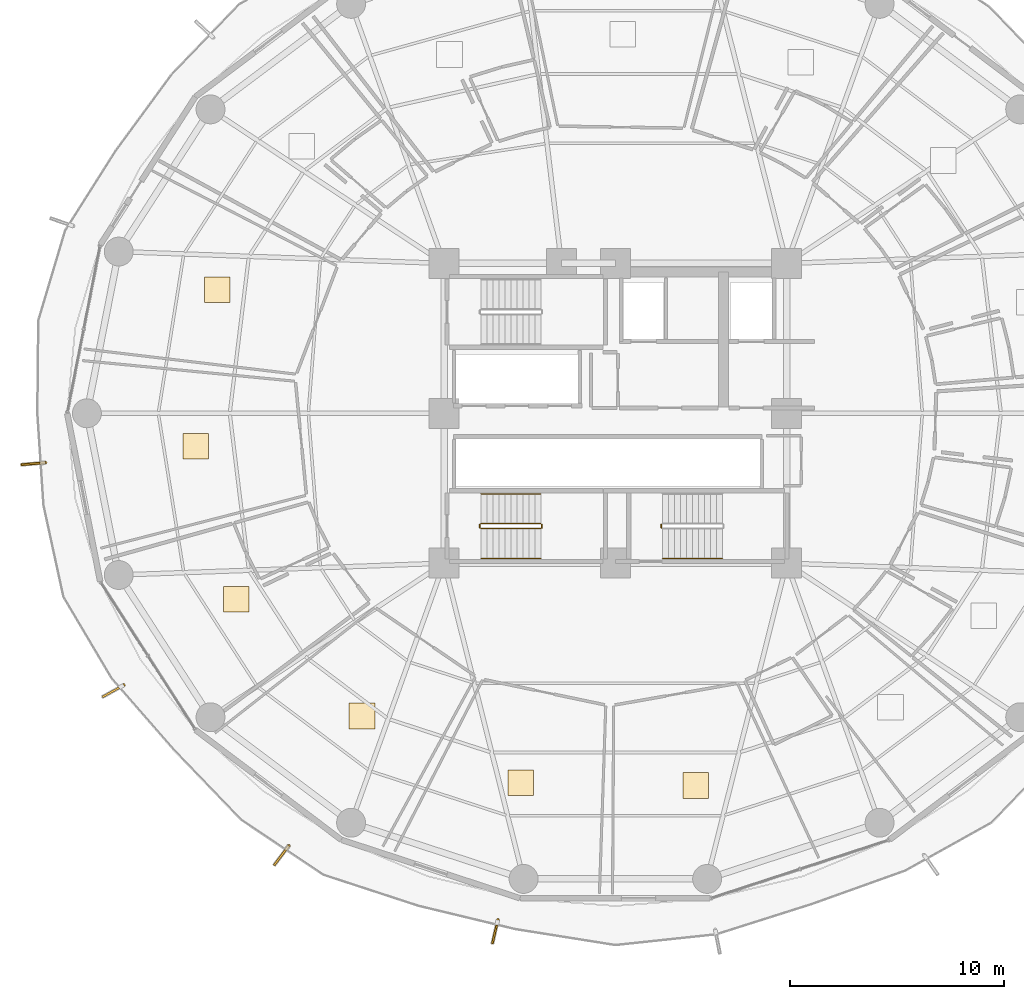
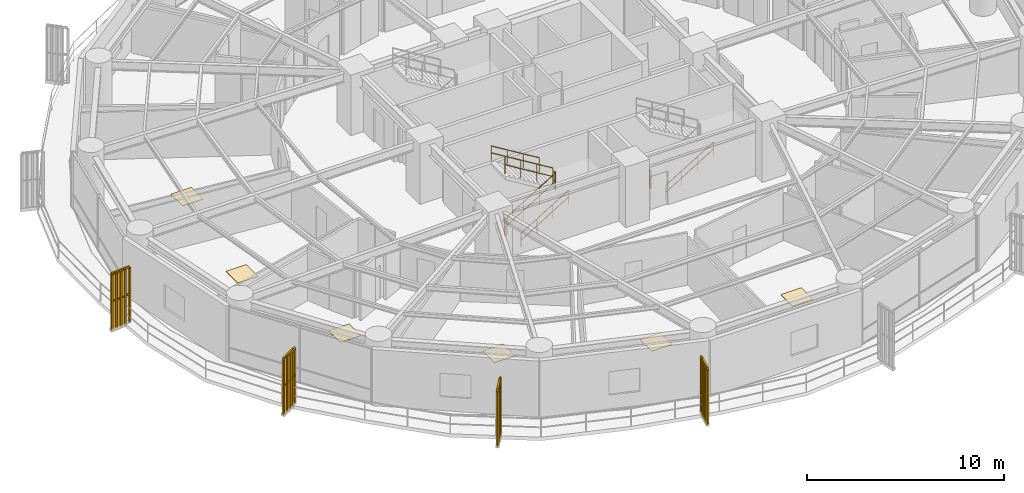
# One storey, part 33 of 36: 12 railings, 6 coverings, 4 shading devices.
"""IFC4 building model written with IfcOpenShell, lengths in metres."""

from ifc_helpers import new_model, si_unit, direction, frame, origin, origin_2d, place, context, subcontext, project, spatial, polyline, rectangle, outline, extrude, source, transform, mapped, material, layer, layer_set, type_object, element, save


model = new_model("IFC4")

# Units and contexts
model_context = context("Model", 3, precision=1e-05, world=origin(), true_north=direction((0.0, 1.0)))
body_context = subcontext(model_context, "Body", "Model", "MODEL_VIEW")
ifc_project = project(units=[si_unit("LENGTHUNIT", "METRE"), si_unit("AREAUNIT", "SQUARE_METRE"), si_unit("VOLUMEUNIT", "CUBIC_METRE"), si_unit("PLANEANGLEUNIT", "RADIAN"), si_unit("MASSUNIT", "GRAM", prefix="KILO")], contexts=[model_context])

# Site, building, storey
site_placement = place(None, origin())
site = spatial("IfcSite", under=ifc_project, at=site_placement, CompositionType="ELEMENT")
building_placement = place(site_placement, origin())
building = spatial("IfcBuilding", under=site, at=building_placement, Name="Kelanora Arch Commons", CompositionType="ELEMENT")
storey_placement = place(building_placement, frame((0.0, 0.0, 98.85009765625)))
storey = spatial("IfcBuildingStorey", under=building, at=storey_placement, Name="L25", CompositionType="ELEMENT", Elevation=98.85009765625)

# Railings
ifc_material_1 = material(Name="Anodised bronze vertical shading fin rib assembly")
railing_type_1 = type_object("IfcRailingType", Name="RAIL-FIN-BRZ", PredefinedType="BALUSTRADE", material=ifc_material_1)
railing_1_placement = place(storey_placement, frame((47.379638671875, 55.69580078125, -0.02001953125)))
element("IfcRailing", 1, at=railing_1_placement, inside=storey, type_object=railing_type_1, Name="Sweeping Bronze Vertical Fin Blade L25-06", PredefinedType="BALUSTRADE", context=body_context, shape_type="SweptSolid", body=[
    extrude(outline(polyline([(0.06982421875, 0.0), (0.034912109375, 0.060546875), (-0.034912109375, 0.060546875), (-0.06982421875, 0.0), (-0.034912109375, -0.060546875), (0.034912109375, -0.060546875), (0.06982421875, 0.0)])), frame((0.0, 0.0, 3.419921875), z_axis=(-0.996274444247, -0.086239386252, 0.0), x_axis=(0.086239386252, -0.996274444247, 0.0)), (0.0, 0.0, 1.0), 1.10693359375),
    extrude(outline(polyline([(0.06982421875, 0.0), (0.034912109375, 0.060546875), (-0.034912109375, 0.060546875), (-0.06982421875, 0.0), (-0.034912109375, -0.060546875), (0.034912109375, -0.060546875), (0.06982421875, 0.0)])), frame((0.0, 0.0, 1.7451171875), z_axis=(-0.996274444247, -0.086239386252, 0.0), x_axis=(0.086239386252, -0.996274444247, 0.0)), (0.0, 0.0, 1.0), 1.10693359375),
    extrude(outline(polyline([(0.080078125, 0.0), (0.0400390625, 0.0693359375), (-0.0400390625, 0.0693359375), (-0.080078125, 0.0), (-0.0400390625, -0.0693359375), (0.0400390625, -0.0693359375), (0.080078125, 0.0)])), origin(), (0.0, 0.0, 1.0), 3.35009765625),
    extrude(outline(polyline([(0.080078125, 0.0), (0.0400390625, 0.0693359375), (-0.0400390625, 0.0693359375), (-0.080078125, 0.0), (-0.0400390625, -0.0693359375), (0.0400390625, -0.0693359375), (0.080078125, 0.0)])), frame((-0.275634765625, -0.02392578125, 0.0)), (0.0, 0.0, 1.0), 3.35009765625),
    extrude(outline(polyline([(0.080078125, 0.0), (0.0400390625, 0.0693359375), (-0.0400390625, 0.0693359375), (-0.080078125, 0.0), (-0.0400390625, -0.0693359375), (0.0400390625, -0.0693359375), (0.080078125, 0.0)])), frame((-0.55126953125, -0.0478515625, 0.0)), (0.0, 0.0, 1.0), 3.35009765625),
    extrude(outline(polyline([(0.080078125, 0.0), (0.0400390625, 0.0693359375), (-0.0400390625, 0.0693359375), (-0.080078125, 0.0), (-0.0400390625, -0.0693359375), (0.0400390625, -0.0693359375), (0.080078125, 0.0)])), frame((-0.8271484375, -0.071533203125, 0.0)), (0.0, 0.0, 1.0), 3.35009765625),
    extrude(outline(polyline([(0.080078125, 0.0), (0.0400390625, 0.0693359375), (-0.0400390625, 0.0693359375), (-0.080078125, 0.0), (-0.0400390625, -0.0693359375), (0.0400390625, -0.0693359375), (0.080078125, 0.0)])), frame((-1.102783203125, -0.095458984375, 0.0)), (0.0, 0.0, 1.0), 3.35009765625),
])
railing_2_placement = place(storey_placement, frame((51.04296875, 45.302490234375, -0.02001953125)))
element("IfcRailing", 2, at=railing_2_placement, inside=storey, type_object=railing_type_1, Name="Sweeping Bronze Vertical Fin Blade L25-07", PredefinedType="BALUSTRADE", context=body_context, shape_type="SweptSolid", body=[
    extrude(outline(polyline([(0.06982421875, 0.0), (0.034912109375, 0.060546875), (-0.034912109375, 0.060546875), (-0.06982421875, 0.0), (-0.034912109375, -0.060546875), (0.034912109375, -0.060546875), (0.06982421875, 0.0)])), frame((0.0, 0.0, 3.419921875), z_axis=(-0.875040004531, -0.484050607345, 0.0), x_axis=(0.484050607345, -0.875040004531, 0.0)), (0.0, 0.0, 1.0), 1.107177734375),
    extrude(outline(polyline([(0.06982421875, 0.0), (0.034912109375, 0.060546875), (-0.034912109375, 0.060546875), (-0.06982421875, 0.0), (-0.034912109375, -0.060546875), (0.034912109375, -0.060546875), (0.06982421875, 0.0)])), frame((0.0, 0.0, 1.7451171875), z_axis=(-0.875040004531, -0.484050607345, 0.0), x_axis=(0.484050607345, -0.875040004531, 0.0)), (0.0, 0.0, 1.0), 1.107177734375),
    extrude(outline(polyline([(0.080078125, 0.0), (0.0400390625, 0.0693359375), (-0.0400390625, 0.0693359375), (-0.080078125, 0.0), (-0.0400390625, -0.0693359375), (0.0400390625, -0.0693359375), (0.080078125, 0.0)])), origin(), (0.0, 0.0, 1.0), 3.35009765625),
    extrude(outline(polyline([(0.080078125, 0.0), (0.0400390625, 0.0693359375), (-0.0400390625, 0.0693359375), (-0.080078125, 0.0), (-0.0400390625, -0.0693359375), (0.0400390625, -0.0693359375), (0.080078125, 0.0)])), frame((-0.2421875, -0.134033203125, 0.0)), (0.0, 0.0, 1.0), 3.35009765625),
    extrude(outline(polyline([(0.080078125, 0.0), (0.0400390625, 0.0693359375), (-0.0400390625, 0.0693359375), (-0.080078125, 0.0), (-0.0400390625, -0.0693359375), (0.0400390625, -0.0693359375), (0.080078125, 0.0)])), frame((-0.484375, -0.26806640625, 0.0)), (0.0, 0.0, 1.0), 3.35009765625),
    extrude(outline(polyline([(0.080078125, 0.0), (0.0400390625, 0.0693359375), (-0.0400390625, 0.0693359375), (-0.080078125, 0.0), (-0.0400390625, -0.0693359375), (0.0400390625, -0.0693359375), (0.080078125, 0.0)])), frame((-0.7265625, -0.40185546875, 0.0)), (0.0, 0.0, 1.0), 3.35009765625),
    extrude(outline(polyline([(0.080078125, 0.0), (0.0400390625, 0.0693359375), (-0.0400390625, 0.0693359375), (-0.080078125, 0.0), (-0.0400390625, -0.0693359375), (0.0400390625, -0.0693359375), (0.080078125, 0.0)])), frame((-0.96875, -0.535888671875, 0.0)), (0.0, 0.0, 1.0), 3.35009765625),
])
railing_3_placement = place(storey_placement, frame((58.7490234375, 37.80029296875, -0.02001953125)))
element("IfcRailing", 3, at=railing_3_placement, inside=storey, type_object=railing_type_1, Name="Sweeping Bronze Vertical Fin Blade L25-08", PredefinedType="BALUSTRADE", context=body_context, shape_type="SweptSolid", body=[
    extrude(outline(polyline([(0.06982421875, 0.0), (0.034912109375, 0.060546875), (-0.034912109375, 0.060546875), (-0.06982421875, 0.0), (-0.034912109375, -0.060546875), (0.034912109375, -0.060546875), (0.06982421875, 0.0)])), frame((0.0, 0.0, 3.419921875), z_axis=(-0.602608400076, -0.798037039339, 0.0), x_axis=(0.798037039339, -0.602608400076, 0.0)), (0.0, 0.0, 1.0), 1.10693359375),
    extrude(outline(polyline([(0.06982421875, 0.0), (0.034912109375, 0.060546875), (-0.034912109375, 0.060546875), (-0.06982421875, 0.0), (-0.034912109375, -0.060546875), (0.034912109375, -0.060546875), (0.06982421875, 0.0)])), frame((0.0, 0.0, 1.7451171875), z_axis=(-0.602608400076, -0.798037039339, 0.0), x_axis=(0.798037039339, -0.602608400076, 0.0)), (0.0, 0.0, 1.0), 1.10693359375),
    extrude(outline(polyline([(0.080078125, 0.0), (0.0400390625, 0.0693359375), (-0.0400390625, 0.0693359375), (-0.080078125, 0.0), (-0.0400390625, -0.0693359375), (0.0400390625, -0.0693359375), (0.080078125, 0.0)])), origin(), (0.0, 0.0, 1.0), 3.35009765625),
    extrude(outline(polyline([(0.080078125, 0.0), (0.0400390625, 0.0693359375), (-0.0400390625, 0.0693359375), (-0.080078125, 0.0), (-0.0400390625, -0.0693359375), (0.0400390625, -0.0693359375), (0.080078125, 0.0)])), frame((-0.166748046875, -0.220703125, 0.0)), (0.0, 0.0, 1.0), 3.35009765625),
    extrude(outline(polyline([(0.080078125, 0.0), (0.0400390625, 0.0693359375), (-0.0400390625, 0.0693359375), (-0.080078125, 0.0), (-0.0400390625, -0.0693359375), (0.0400390625, -0.0693359375), (0.080078125, 0.0)])), frame((-0.33349609375, -0.441650390625, 0.0)), (0.0, 0.0, 1.0), 3.35009765625),
    extrude(outline(polyline([(0.080078125, 0.0), (0.0400390625, 0.0693359375), (-0.0400390625, 0.0693359375), (-0.080078125, 0.0), (-0.0400390625, -0.0693359375), (0.0400390625, -0.0693359375), (0.080078125, 0.0)])), frame((-0.500244140625, -0.66259765625, 0.0)), (0.0, 0.0, 1.0), 3.35009765625),
    extrude(outline(polyline([(0.080078125, 0.0), (0.0400390625, 0.0693359375), (-0.0400390625, 0.0693359375), (-0.080078125, 0.0), (-0.0400390625, -0.0693359375), (0.0400390625, -0.0693359375), (0.080078125, 0.0)])), frame((-0.6669921875, -0.88330078125, 0.0)), (0.0, 0.0, 1.0), 3.35009765625),
])
railing_4_placement = place(storey_placement, frame((68.514404296875, 34.338623046875, -0.02001953125)))
element("IfcRailing", 4, at=railing_4_placement, inside=storey, type_object=railing_type_1, Name="Sweeping Bronze Vertical Fin Blade L25-09", PredefinedType="BALUSTRADE", context=body_context, shape_type="SweptSolid", body=[
    extrude(outline(polyline([(0.06982421875, 0.0), (0.034912109375, 0.060546875), (-0.034912109375, 0.060546875), (-0.06982421875, 0.0), (-0.034912109375, -0.060546875), (0.034912109375, -0.060546875), (0.06982421875, 0.0)])), frame((0.0, 0.0, 3.419921875), z_axis=(-0.225890482018, -0.974152703704, 0.0), x_axis=(0.974152703704, -0.225890482018, 0.0)), (0.0, 0.0, 1.0), 1.106689453125),
    extrude(outline(polyline([(0.06982421875, 0.0), (0.034912109375, 0.060546875), (-0.034912109375, 0.060546875), (-0.06982421875, 0.0), (-0.034912109375, -0.060546875), (0.034912109375, -0.060546875), (0.06982421875, 0.0)])), frame((0.0, 0.0, 1.7451171875), z_axis=(-0.225890482018, -0.974152703704, 0.0), x_axis=(0.974152703704, -0.225890482018, 0.0)), (0.0, 0.0, 1.0), 1.106689453125),
    extrude(outline(polyline([(0.080078125, 0.0), (0.0400390625, 0.0693359375), (-0.0400390625, 0.0693359375), (-0.080078125, 0.0), (-0.0400390625, -0.0693359375), (0.0400390625, -0.0693359375), (0.080078125, 0.0)])), origin(), (0.0, 0.0, 1.0), 3.35009765625),
    extrude(outline(polyline([(0.080078125, 0.0), (0.0400390625, 0.0693359375), (-0.0400390625, 0.0693359375), (-0.080078125, 0.0), (-0.0400390625, -0.0693359375), (0.0400390625, -0.0693359375), (0.080078125, 0.0)])), frame((-0.0625, -0.26953125, 0.0)), (0.0, 0.0, 1.0), 3.35009765625),
    extrude(outline(polyline([(0.080078125, 0.0), (0.0400390625, 0.0693359375), (-0.0400390625, 0.0693359375), (-0.080078125, 0.0), (-0.0400390625, -0.0693359375), (0.0400390625, -0.0693359375), (0.080078125, 0.0)])), frame((-0.125, -0.5390625, 0.0)), (0.0, 0.0, 1.0), 3.35009765625),
    extrude(outline(polyline([(0.080078125, 0.0), (0.0400390625, 0.0693359375), (-0.0400390625, 0.0693359375), (-0.080078125, 0.0), (-0.0400390625, -0.0693359375), (0.0400390625, -0.0693359375), (0.080078125, 0.0)])), frame((-0.1875, -0.80859375, 0.0)), (0.0, 0.0, 1.0), 3.35009765625),
    extrude(outline(polyline([(0.080078125, 0.0), (0.0400390625, 0.0693359375), (-0.0400390625, 0.0693359375), (-0.080078125, 0.0), (-0.0400390625, -0.0693359375), (0.0400390625, -0.0693359375), (0.080078125, 0.0)])), frame((-0.25, -1.078125, 0.0)), (0.0, 0.0, 1.0), 3.35009765625),
])
ifc_material_2 = material(Name="Painted steel stair well guard", Category="steel")
railing_type_2 = type_object("IfcRailingType", Name="RAIL-STAIR-GRD", PredefinedType="GUARDRAIL", material=ifc_material_2)
railing_5_placement = place(storey_placement, frame((76.14990234375, 52.659912109375, 0.0)))
element("IfcRailing", 5, at=railing_5_placement, inside=storey, type_object=railing_type_2, Name="L25 ST-T2 stair guard 4", PredefinedType="GUARDRAIL", context=body_context, shape_type="SweptSolid", body=[
    extrude(outline(polyline([(0.02392578125, 0.0), (0.011962890625, 0.020751953125), (-0.011962890625, 0.020751953125), (-0.02392578125, 0.0), (-0.011962890625, -0.020751953125), (0.011962890625, -0.020751953125), (0.02392578125, 0.0)])), frame((0.0, 0.0, 1.076171875), z_axis=(0.0, 1.0, 0.0), x_axis=(-1.0, 0.0, 0.0)), (0.0, 0.0, 1.0), 0.150146484375),
    extrude(outline(polyline([(0.02392578125, 0.0), (0.011962890625, 0.020751953125), (-0.011962890625, 0.020751953125), (-0.02392578125, 0.0), (-0.011962890625, -0.020751953125), (0.011962890625, -0.020751953125), (0.02392578125, 0.0)])), frame((0.0, 0.0, 0.550048828125), z_axis=(0.0, 1.0, 0.0), x_axis=(-1.0, 0.0, 0.0)), (0.0, 0.0, 1.0), 0.150146484375),
    extrude(outline(polyline([(0.02099609375, 0.0), (0.010498046875, 0.01806640625), (-0.010498046875, 0.01806640625), (-0.02099609375, 0.0), (-0.010498046875, -0.01806640625), (0.010498046875, -0.01806640625), (0.02099609375, 0.0)])), origin(), (0.0, 0.0, 1.0), 1.052001953125),
    extrude(outline(polyline([(0.02099609375, 0.0), (0.010498046875, 0.01806640625), (-0.010498046875, 0.01806640625), (-0.02099609375, 0.0), (-0.010498046875, -0.01806640625), (0.010498046875, -0.01806640625), (0.02099609375, 0.0)])), frame((0.0, 0.150146484375, 0.0)), (0.0, 0.0, 1.0), 1.052001953125),
])
railing_6_placement = place(storey_placement, frame((67.719970703125, 52.610107421875, 0.17041015625)))
element("IfcRailing", 6, at=railing_6_placement, inside=storey, type_object=railing_type_2, Name="L25 ST-T3 stair guard 1", PredefinedType="GUARDRAIL", context=body_context, shape_type="SweptSolid", body=[
    extrude(outline(polyline([(0.02392578125, 0.0), (0.011962890625, 0.020751953125), (-0.011962890625, 0.020751953125), (-0.02392578125, 0.0), (-0.011962890625, -0.020751953125), (0.011962890625, -0.020751953125), (0.02392578125, 0.0)])), frame((0.0, 0.0, 1.076171875), z_axis=(0.854169791009, 0.0, 0.51999420009), x_axis=(0.0, 1.0, 0.0)), (0.0, 0.0, 1.0), 3.278076171875),
    extrude(outline(polyline([(0.02392578125, 0.0), (0.011962890625, 0.020751953125), (-0.011962890625, 0.020751953125), (-0.02392578125, 0.0), (-0.011962890625, -0.020751953125), (0.011962890625, -0.020751953125), (0.02392578125, 0.0)])), frame((0.0, 0.0, 0.550048828125), z_axis=(0.854169791009, 0.0, 0.51999420009), x_axis=(0.0, 1.0, 0.0)), (0.0, 0.0, 1.0), 3.278076171875),
    extrude(outline(polyline([(0.02099609375, 0.0), (0.010498046875, 0.01806640625), (-0.010498046875, 0.01806640625), (-0.02099609375, 0.0), (-0.010498046875, -0.01806640625), (0.010498046875, -0.01806640625), (0.02099609375, 0.0)])), origin(), (0.0, 0.0, 1.0), 1.052001953125),
    extrude(outline(polyline([(0.02099609375, 0.0), (0.010498046875, 0.01806640625), (-0.010498046875, 0.01806640625), (-0.02099609375, 0.0), (-0.010498046875, -0.01806640625), (0.010498046875, -0.01806640625), (0.02099609375, 0.0)])), frame((0.933349609375, 0.0, 0.568115234375)), (0.0, 0.0, 1.0), 1.052001953125),
    extrude(outline(polyline([(0.02099609375, 0.0), (0.010498046875, 0.01806640625), (-0.010498046875, 0.01806640625), (-0.02099609375, 0.0), (-0.010498046875, -0.01806640625), (0.010498046875, -0.01806640625), (0.02099609375, 0.0)])), frame((1.86669921875, 0.0, 1.136474609375)), (0.0, 0.0, 1.0), 1.052001953125),
    extrude(outline(polyline([(0.02099609375, 0.0), (0.010498046875, 0.01806640625), (-0.010498046875, 0.01806640625), (-0.02099609375, 0.0), (-0.010498046875, -0.01806640625), (0.010498046875, -0.01806640625), (0.02099609375, 0.0)])), frame((2.800048828125, 0.0, 1.70458984375)), (0.0, 0.0, 1.0), 1.052001953125),
])
railing_7_placement = place(storey_placement, frame((70.570068359375, 52.659912109375, 1.875)))
element("IfcRailing", 7, at=railing_7_placement, inside=storey, type_object=railing_type_2, Name="L25 ST-T3 stair guard 2", PredefinedType="GUARDRAIL", context=body_context, shape_type="SweptSolid", body=[
    extrude(outline(polyline([(0.02392578125, 0.0), (0.011962890625, 0.020751953125), (-0.011962890625, 0.020751953125), (-0.02392578125, 0.0), (-0.011962890625, -0.020751953125), (0.011962890625, -0.020751953125), (0.02392578125, 0.0)])), frame((0.0, 0.0, 1.076171875), z_axis=(0.0, 1.0, 0.0), x_axis=(-1.0, 0.0, 0.0)), (0.0, 0.0, 1.0), 0.150146484375),
    extrude(outline(polyline([(0.02392578125, 0.0), (0.011962890625, 0.020751953125), (-0.011962890625, 0.020751953125), (-0.02392578125, 0.0), (-0.011962890625, -0.020751953125), (0.011962890625, -0.020751953125), (0.02392578125, 0.0)])), frame((0.0, 0.0, 0.550048828125), z_axis=(0.0, 1.0, 0.0), x_axis=(-1.0, 0.0, 0.0)), (0.0, 0.0, 1.0), 0.150146484375),
    extrude(outline(polyline([(0.02099609375, 0.0), (0.010498046875, 0.01806640625), (-0.010498046875, 0.01806640625), (-0.02099609375, 0.0), (-0.010498046875, -0.01806640625), (0.010498046875, -0.01806640625), (0.02099609375, 0.0)])), origin(), (0.0, 0.0, 1.0), 1.052001953125),
    extrude(outline(polyline([(0.02099609375, 0.0), (0.010498046875, 0.01806640625), (-0.010498046875, 0.01806640625), (-0.02099609375, 0.0), (-0.010498046875, -0.01806640625), (0.010498046875, -0.01806640625), (0.02099609375, 0.0)])), frame((0.0, 0.150146484375, 0.0)), (0.0, 0.0, 1.0), 1.052001953125),
])
railing_8_placement = place(storey_placement, frame((70.52001953125, 52.860107421875, 2.04541015625)))
element("IfcRailing", 8, at=railing_8_placement, inside=storey, type_object=railing_type_2, Name="L25 ST-T3 stair guard 3", PredefinedType="GUARDRAIL", context=body_context, shape_type="SweptSolid", body=[
    extrude(outline(polyline([(0.02392578125, 0.0), (0.011962890625, 0.020751953125), (-0.011962890625, 0.020751953125), (-0.02392578125, 0.0), (-0.011962890625, -0.020751953125), (0.011962890625, -0.020751953125), (0.02392578125, 0.0)])), frame((0.0, 0.0, 1.076171875), z_axis=(-0.854169791009, 0.0, 0.51999420009), x_axis=(0.0, -1.0, 0.0)), (0.0, 0.0, 1.0), 3.278076171875),
    extrude(outline(polyline([(0.02392578125, 0.0), (0.011962890625, 0.020751953125), (-0.011962890625, 0.020751953125), (-0.02392578125, 0.0), (-0.011962890625, -0.020751953125), (0.011962890625, -0.020751953125), (0.02392578125, 0.0)])), frame((0.0, 0.0, 0.550048828125), z_axis=(-0.854169791009, 0.0, 0.51999420009), x_axis=(0.0, -1.0, 0.0)), (0.0, 0.0, 1.0), 3.278076171875),
    extrude(outline(polyline([(0.02099609375, 0.0), (0.010498046875, 0.01806640625), (-0.010498046875, 0.01806640625), (-0.02099609375, 0.0), (-0.010498046875, -0.01806640625), (0.010498046875, -0.01806640625), (0.02099609375, 0.0)])), origin(), (0.0, 0.0, 1.0), 1.052001953125),
    extrude(outline(polyline([(0.02099609375, 0.0), (0.010498046875, 0.01806640625), (-0.010498046875, 0.01806640625), (-0.02099609375, 0.0), (-0.010498046875, -0.01806640625), (0.010498046875, -0.01806640625), (0.02099609375, 0.0)])), frame((-0.933349609375, 0.0, 0.568115234375)), (0.0, 0.0, 1.0), 1.052001953125),
    extrude(outline(polyline([(0.02099609375, 0.0), (0.010498046875, 0.01806640625), (-0.010498046875, 0.01806640625), (-0.02099609375, 0.0), (-0.010498046875, -0.01806640625), (0.010498046875, -0.01806640625), (0.02099609375, 0.0)])), frame((-1.86669921875, 0.0, 1.136474609375)), (0.0, 0.0, 1.0), 1.052001953125),
    extrude(outline(polyline([(0.02099609375, 0.0), (0.010498046875, 0.01806640625), (-0.010498046875, 0.01806640625), (-0.02099609375, 0.0), (-0.010498046875, -0.01806640625), (0.010498046875, -0.01806640625), (0.02099609375, 0.0)])), frame((-2.800048828125, 0.0, 1.70458984375)), (0.0, 0.0, 1.0), 1.052001953125),
])
railing_9_placement = place(storey_placement, frame((67.669921875, 52.659912109375, 0.0)))
element("IfcRailing", 9, at=railing_9_placement, inside=storey, type_object=railing_type_2, Name="L25 ST-T3 stair guard 4", PredefinedType="GUARDRAIL", context=body_context, shape_type="SweptSolid", body=[
    extrude(outline(polyline([(0.02392578125, 0.0), (0.011962890625, 0.020751953125), (-0.011962890625, 0.020751953125), (-0.02392578125, 0.0), (-0.011962890625, -0.020751953125), (0.011962890625, -0.020751953125), (0.02392578125, 0.0)])), frame((0.0, 0.0, 1.076171875), z_axis=(0.0, 1.0, 0.0), x_axis=(-1.0, 0.0, 0.0)), (0.0, 0.0, 1.0), 0.150146484375),
    extrude(outline(polyline([(0.02392578125, 0.0), (0.011962890625, 0.020751953125), (-0.011962890625, 0.020751953125), (-0.02392578125, 0.0), (-0.011962890625, -0.020751953125), (0.011962890625, -0.020751953125), (0.02392578125, 0.0)])), frame((0.0, 0.0, 0.550048828125), z_axis=(0.0, 1.0, 0.0), x_axis=(-1.0, 0.0, 0.0)), (0.0, 0.0, 1.0), 0.150146484375),
    extrude(outline(polyline([(0.02099609375, 0.0), (0.010498046875, 0.01806640625), (-0.010498046875, 0.01806640625), (-0.02099609375, 0.0), (-0.010498046875, -0.01806640625), (0.010498046875, -0.01806640625), (0.02099609375, 0.0)])), origin(), (0.0, 0.0, 1.0), 1.052001953125),
    extrude(outline(polyline([(0.02099609375, 0.0), (0.010498046875, 0.01806640625), (-0.010498046875, 0.01806640625), (-0.02099609375, 0.0), (-0.010498046875, -0.01806640625), (0.010498046875, -0.01806640625), (0.02099609375, 0.0)])), frame((0.0, 0.150146484375, 0.0)), (0.0, 0.0, 1.0), 1.052001953125),
])
ifc_material_3 = material(Name="Brushed stainless steel stair handrail", Category="steel")
railing_type_3 = type_object("IfcRailingType", Name="RAIL-STAIR-HND", PredefinedType="HANDRAIL", material=ifc_material_3)
railing_10_placement = place(storey_placement, frame((76.199951171875, 51.22998046875, 0.17041015625)))
element("IfcRailing", 10, at=railing_10_placement, inside=storey, type_object=railing_type_3, Name="L25 ST-T2 stair handrail 1", PredefinedType="HANDRAIL", context=body_context, shape_type="SweptSolid", body=[
    extrude(outline(polyline([(0.02392578125, 0.0), (0.011962890625, 0.020751953125), (-0.011962890625, 0.020751953125), (-0.02392578125, 0.0), (-0.011962890625, -0.020751953125), (0.011962890625, -0.020751953125), (0.02392578125, 0.0)])), frame((0.0, 0.0, 0.8759765625), z_axis=(0.854169791009, 0.0, 0.51999420009), x_axis=(0.0, 1.0, 0.0)), (0.0, 0.0, 1.0), 3.278076171875),
    extrude(outline(polyline([(0.02392578125, 0.0), (0.011962890625, 0.020751953125), (-0.011962890625, 0.020751953125), (-0.02392578125, 0.0), (-0.011962890625, -0.020751953125), (0.011962890625, -0.020751953125), (0.02392578125, 0.0)])), frame((0.0, 0.0, 0.449951171875), z_axis=(0.854169791009, 0.0, 0.51999420009), x_axis=(0.0, 1.0, 0.0)), (0.0, 0.0, 1.0), 3.278076171875),
    extrude(outline(polyline([(0.02099609375, 0.0), (0.010498046875, 0.01806640625), (-0.010498046875, 0.01806640625), (-0.02099609375, 0.0), (-0.010498046875, -0.01806640625), (0.010498046875, -0.01806640625), (0.02099609375, 0.0)])), origin(), (0.0, 0.0, 1.0), 0.851806640625),
    extrude(outline(polyline([(0.02099609375, 0.0), (0.010498046875, 0.01806640625), (-0.010498046875, 0.01806640625), (-0.02099609375, 0.0), (-0.010498046875, -0.01806640625), (0.010498046875, -0.01806640625), (0.02099609375, 0.0)])), frame((0.933349609375, 0.0, 0.568115234375)), (0.0, 0.0, 1.0), 0.851806640625),
    extrude(outline(polyline([(0.02099609375, 0.0), (0.010498046875, 0.01806640625), (-0.010498046875, 0.01806640625), (-0.02099609375, 0.0), (-0.010498046875, -0.01806640625), (0.010498046875, -0.01806640625), (0.02099609375, 0.0)])), frame((1.86669921875, 0.0, 1.136474609375)), (0.0, 0.0, 1.0), 0.851806640625),
    extrude(outline(polyline([(0.02099609375, 0.0), (0.010498046875, 0.01806640625), (-0.010498046875, 0.01806640625), (-0.02099609375, 0.0), (-0.010498046875, -0.01806640625), (0.010498046875, -0.01806640625), (0.02099609375, 0.0)])), frame((2.800048828125, 0.0, 1.70458984375)), (0.0, 0.0, 1.0), 0.851806640625),
])
railing_11_placement = place(storey_placement, frame((67.719970703125, 51.22998046875, 0.17041015625)))
element("IfcRailing", 11, at=railing_11_placement, inside=storey, type_object=railing_type_3, Name="L25 ST-T3 stair handrail 1", PredefinedType="HANDRAIL", context=body_context, shape_type="SweptSolid", body=[
    extrude(outline(polyline([(0.02392578125, 0.0), (0.011962890625, 0.020751953125), (-0.011962890625, 0.020751953125), (-0.02392578125, 0.0), (-0.011962890625, -0.020751953125), (0.011962890625, -0.020751953125), (0.02392578125, 0.0)])), frame((0.0, 0.0, 0.8759765625), z_axis=(0.854169791009, 0.0, 0.51999420009), x_axis=(0.0, 1.0, 0.0)), (0.0, 0.0, 1.0), 3.278076171875),
    extrude(outline(polyline([(0.02392578125, 0.0), (0.011962890625, 0.020751953125), (-0.011962890625, 0.020751953125), (-0.02392578125, 0.0), (-0.011962890625, -0.020751953125), (0.011962890625, -0.020751953125), (0.02392578125, 0.0)])), frame((0.0, 0.0, 0.449951171875), z_axis=(0.854169791009, 0.0, 0.51999420009), x_axis=(0.0, 1.0, 0.0)), (0.0, 0.0, 1.0), 3.278076171875),
    extrude(outline(polyline([(0.02099609375, 0.0), (0.010498046875, 0.01806640625), (-0.010498046875, 0.01806640625), (-0.02099609375, 0.0), (-0.010498046875, -0.01806640625), (0.010498046875, -0.01806640625), (0.02099609375, 0.0)])), origin(), (0.0, 0.0, 1.0), 0.851806640625),
    extrude(outline(polyline([(0.02099609375, 0.0), (0.010498046875, 0.01806640625), (-0.010498046875, 0.01806640625), (-0.02099609375, 0.0), (-0.010498046875, -0.01806640625), (0.010498046875, -0.01806640625), (0.02099609375, 0.0)])), frame((0.933349609375, 0.0, 0.568115234375)), (0.0, 0.0, 1.0), 0.851806640625),
    extrude(outline(polyline([(0.02099609375, 0.0), (0.010498046875, 0.01806640625), (-0.010498046875, 0.01806640625), (-0.02099609375, 0.0), (-0.010498046875, -0.01806640625), (0.010498046875, -0.01806640625), (0.02099609375, 0.0)])), frame((1.86669921875, 0.0, 1.136474609375)), (0.0, 0.0, 1.0), 0.851806640625),
    extrude(outline(polyline([(0.02099609375, 0.0), (0.010498046875, 0.01806640625), (-0.010498046875, 0.01806640625), (-0.02099609375, 0.0), (-0.010498046875, -0.01806640625), (0.010498046875, -0.01806640625), (0.02099609375, 0.0)])), frame((2.800048828125, 0.0, 1.70458984375)), (0.0, 0.0, 1.0), 0.851806640625),
])
railing_12_placement = place(storey_placement, frame((70.52001953125, 54.239990234375, 2.04541015625)))
element("IfcRailing", 12, at=railing_12_placement, inside=storey, type_object=railing_type_3, Name="L25 ST-T3 stair handrail 2", PredefinedType="HANDRAIL", context=body_context, shape_type="SweptSolid", body=[
    extrude(outline(polyline([(0.02392578125, 0.0), (0.011962890625, 0.020751953125), (-0.011962890625, 0.020751953125), (-0.02392578125, 0.0), (-0.011962890625, -0.020751953125), (0.011962890625, -0.020751953125), (0.02392578125, 0.0)])), frame((0.0, 0.0, 0.8759765625), z_axis=(-0.854169791009, 0.0, 0.51999420009), x_axis=(0.0, -1.0, 0.0)), (0.0, 0.0, 1.0), 3.278076171875),
    extrude(outline(polyline([(0.02392578125, 0.0), (0.011962890625, 0.020751953125), (-0.011962890625, 0.020751953125), (-0.02392578125, 0.0), (-0.011962890625, -0.020751953125), (0.011962890625, -0.020751953125), (0.02392578125, 0.0)])), frame((0.0, 0.0, 0.449951171875), z_axis=(-0.854169791009, 0.0, 0.51999420009), x_axis=(0.0, -1.0, 0.0)), (0.0, 0.0, 1.0), 3.278076171875),
    extrude(outline(polyline([(0.02099609375, 0.0), (0.010498046875, 0.01806640625), (-0.010498046875, 0.01806640625), (-0.02099609375, 0.0), (-0.010498046875, -0.01806640625), (0.010498046875, -0.01806640625), (0.02099609375, 0.0)])), origin(), (0.0, 0.0, 1.0), 0.851806640625),
    extrude(outline(polyline([(0.02099609375, 0.0), (0.010498046875, 0.01806640625), (-0.010498046875, 0.01806640625), (-0.02099609375, 0.0), (-0.010498046875, -0.01806640625), (0.010498046875, -0.01806640625), (0.02099609375, 0.0)])), frame((-0.933349609375, 0.0, 0.568115234375)), (0.0, 0.0, 1.0), 0.851806640625),
    extrude(outline(polyline([(0.02099609375, 0.0), (0.010498046875, 0.01806640625), (-0.010498046875, 0.01806640625), (-0.02099609375, 0.0), (-0.010498046875, -0.01806640625), (0.010498046875, -0.01806640625), (0.02099609375, 0.0)])), frame((-1.86669921875, 0.0, 1.136474609375)), (0.0, 0.0, 1.0), 0.851806640625),
    extrude(outline(polyline([(0.02099609375, 0.0), (0.010498046875, 0.01806640625), (-0.010498046875, 0.01806640625), (-0.02099609375, 0.0), (-0.010498046875, -0.01806640625), (0.010498046875, -0.01806640625), (0.02099609375, 0.0)])), frame((-2.800048828125, 0.0, 1.70458984375)), (0.0, 0.0, 1.0), 0.851806640625),
])

# Shading devices
ifc_material_4 = material(Name="Terracotta ceramic-clad extruded aluminium fin", Category="masonry")
shading_device_type = type_object("IfcShadingDeviceType", Name="SHD-FIN-FLARE", PredefinedType="USERDEFINED", material=ifc_material_4)
shared_shape_1 = source(origin(), body_context, "Body", "SweptSolid", [
    extrude(rectangle(XDim=0.8798828125, YDim=0.090087890625, at=origin_2d()), origin(), (0.0, 0.0, 1.0), 3.610107421875),
])
for number, where, z_axis, x_axis, name in (
    (13, (46.688720703125, 55.635986328125, -0.14013671875), (0.0, 0.0, 1.0), (-0.996270376493, -0.086286365798, 0.0), "Sweeping Terracotta Fin L25-06"),
    (14, (50.43603515625, 44.966796875, -0.14013671875), (0.0, 0.0, 1.0), (-0.875042450261, -0.484046186062, 0.0), "Sweeping Terracotta Fin L25-07"),
    (15, (58.331298828125, 37.246826171875, -0.14013671875), (0.0, 0.0, 1.0), (-0.602511734868, -0.798110023334, 0.0), "Sweeping Terracotta Fin L25-08"),
    (16, (68.357666015625, 33.6630859375, -0.14013671875), (0.0, 0.0, 1.0), (-0.225801266869, -0.97417338697, 0.0), "Sweeping Terracotta Fin L25-09"),
):
    element("IfcShadingDevice", number, at=place(storey_placement, frame(where, z_axis=z_axis, x_axis=x_axis)), inside=storey, type_object=shading_device_type, Name=name, ObjectType="FIN", PredefinedType="USERDEFINED", context=body_context, shape_type="MappedRepresentation", body=[
        mapped(shared_shape_1, transform((0.0, 0.0, 0.0), scale=1.0)),
    ])

# Coverings
ifc_material_5 = material(Name="Polished local granite terrazzo flooring", Category="masonry")
ifc_layer = layer(ifc_material_5, 0.030029296875)
ifc_layer_set = layer_set([ifc_layer], Name="Polished local granite terrazzo flooring")
covering_type = type_object("IfcCoveringType", Name="COV-FLR-TER", PredefinedType="FLOORING", material=ifc_layer_set)
shared_shape_2 = source(origin(), body_context, "Body", "SweptSolid", [
    extrude(rectangle(XDim=1.199951171875, YDim=1.199951171875, at=origin_2d()), origin(), (0.0, 0.0, 1.0), 0.030029296875),
])
for number, where, z_axis, x_axis, name in (
    (17, (55.4052734375, 63.76416015625, 0.0), (0.0, 0.0, 1.0), (1.0, 0.0, 0.0), "Social Sky Lounge L25-07 Terrazzo Finish"),
    (18, (54.408447265625, 56.457275390625, 0.0), (0.0, 0.0, 1.0), (1.0, 0.0, 0.0), "Quiet Seminar Study Room L25-08 Terrazzo Finish"),
    (19, (56.290771484375, 49.31494140625, 0.0), (0.0, 0.0, 1.0), (1.0, 0.0, 0.0), "Co-Living Studio L25-09 Terrazzo Finish"),
    (20, (62.16455078125, 43.8603515625, 0.0), (0.0, 0.0, 1.0), (1.0, 0.0, 0.0), "Communal Dining and Social Hall L25-10 Terrazzo Finish"),
    (21, (69.575927734375, 40.7490234375, 0.0), (0.0, 0.0, 1.0), (1.0, 0.0, 0.0), "Quiet Seminar Study Room L25-11 Terrazzo Finish"),
    (22, (77.75244140625, 40.6201171875, 0.0), (0.0, 0.0, 1.0), (1.0, 0.0, 0.0), "Quiet Seminar Study Room L25-12 Terrazzo Finish"),
):
    element("IfcCovering", number, at=place(storey_placement, frame(where, z_axis=z_axis, x_axis=x_axis)), inside=storey, type_object=covering_type, Name=name, PredefinedType="FLOORING", context=body_context, shape_type="MappedRepresentation", body=[
        mapped(shared_shape_2, transform((0.0, 0.0, 0.0), scale=1.0)),
    ])

save(model, "model.ifc")
